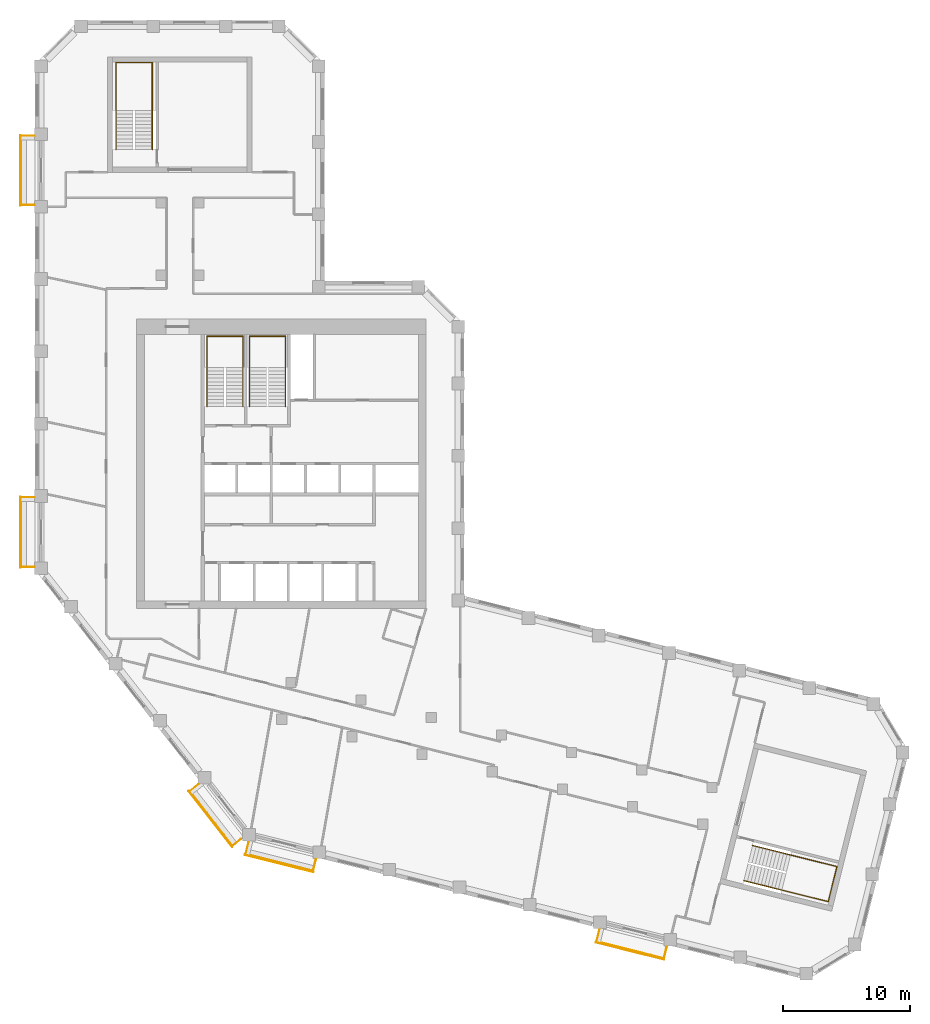
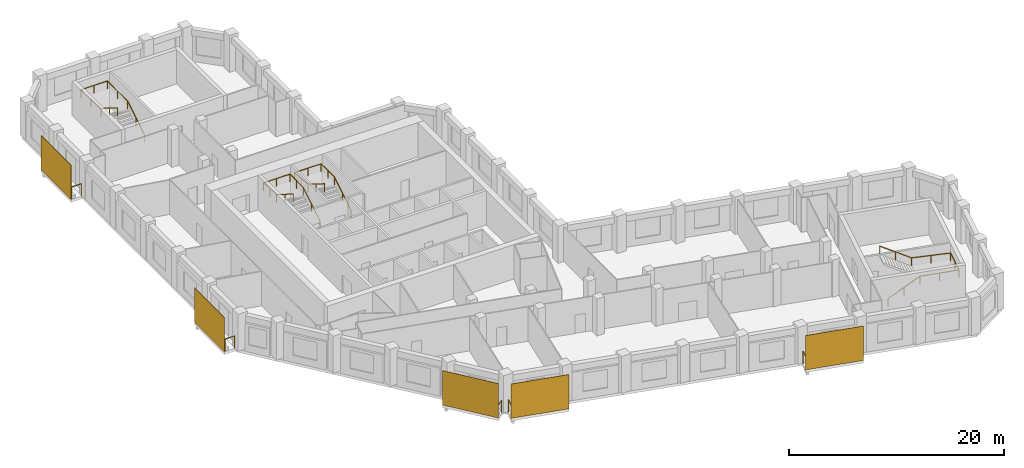
# One storey, part 9 of 9: 9 railings, 5 shading devices.
"""IFC4 building model written with IfcOpenShell, lengths in metres."""

from ifc_helpers import new_model, si_unit, direction, frame, origin, origin_2d, place, context, subcontext, project, spatial, rectangle, circle, extrude, material, layer, layer_set, type_object, element, save


model = new_model("IFC4")

# Units and contexts
model_context = context("Model", 3, precision=1e-05, world=origin(), true_north=direction((0.0, 1.0)))
body_context = subcontext(model_context, "Body", "Model", "MODEL_VIEW")
ifc_project = project(units=[si_unit("LENGTHUNIT", "METRE"), si_unit("AREAUNIT", "SQUARE_METRE"), si_unit("VOLUMEUNIT", "CUBIC_METRE"), si_unit("PLANEANGLEUNIT", "RADIAN"), si_unit("MASSUNIT", "GRAM", prefix="KILO")], contexts=[model_context])

# Site, building, storey
site_placement = place(None, origin())
site = spatial("IfcSite", under=ifc_project, at=site_placement, CompositionType="ELEMENT")
building_placement = place(site_placement, origin())
building = spatial("IfcBuilding", under=site, at=building_placement, Name="Meshkara Civic Tower", CompositionType="ELEMENT")
storey_placement = place(building_placement, frame((0.0, 0.0, 294.0)))
storey = spatial("IfcBuildingStorey", under=building, at=storey_placement, Name="L67", CompositionType="ELEMENT", Elevation=294.0)

# Railings
ifc_material_1 = material(Name="Steel S355", Category="steel")
railing_type_1 = type_object("IfcRailingType", Name="BALUSTRADE GUARD 1400", PredefinedType="BALUSTRADE", material=ifc_material_1)
for number, where, name in (
    (1, (-0.050048828125, 51.3349609375, 0.0), "Balcony guard"),
    (2, (-0.050048828125, 22.8349609375, 0.0), "Balcony guard"),
):
    element("IfcRailing", number, at=place(storey_placement, frame(where)), inside=storey, type_object=railing_type_1, Name=name, PredefinedType="BALUSTRADE", context=body_context, shape_type="SweptSolid", body=[
        extrude(circle(Radius=0.02392578125, at=origin_2d()), frame((0.0, 0.0, 1.3759765625), z_axis=(-1.0, 0.0, 0.0), x_axis=(0.0, -1.0, 0.0)), (0.0, 0.0, 1.0), 1.06005859375),
        extrude(circle(Radius=0.02392578125, at=origin_2d()), frame((-1.06005859375, 0.0, 1.3759765625), z_axis=(0.0, -1.0, 0.0), x_axis=(1.0, 0.0, 0.0)), (0.0, 0.0, 1.0), 5.4599609375),
        extrude(circle(Radius=0.02392578125, at=origin_2d()), frame((-1.06005859375, -5.4599609375, 1.3759765625), z_axis=(1.0, 0.0, 0.0), x_axis=(0.0, 1.0, 0.0)), (0.0, 0.0, 1.0), 1.06005859375),
        extrude(circle(Radius=0.02099609375, at=origin_2d()), origin(), (0.0, 0.0, 1.0), 1.351806640625),
        extrude(circle(Radius=0.02099609375, at=origin_2d()), frame((-1.06005859375, 0.0, 0.0)), (0.0, 0.0, 1.0), 1.351806640625),
        extrude(circle(Radius=0.02099609375, at=origin_2d()), frame((-1.06005859375, -1.092041015625, 0.0)), (0.0, 0.0, 1.0), 1.351806640625),
        extrude(circle(Radius=0.02099609375, at=origin_2d()), frame((-1.06005859375, -2.18408203125, 0.0)), (0.0, 0.0, 1.0), 1.351806640625),
        extrude(circle(Radius=0.02099609375, at=origin_2d()), frame((-1.06005859375, -3.27587890625, 0.0)), (0.0, 0.0, 1.0), 1.351806640625),
        extrude(circle(Radius=0.02099609375, at=origin_2d()), frame((-1.06005859375, -4.367919921875, 0.0)), (0.0, 0.0, 1.0), 1.351806640625),
        extrude(circle(Radius=0.02099609375, at=origin_2d()), frame((-1.06005859375, -5.4599609375, 0.0)), (0.0, 0.0, 1.0), 1.351806640625),
        extrude(circle(Radius=0.02099609375, at=origin_2d()), frame((0.0, -5.4599609375, 0.0)), (0.0, 0.0, 1.0), 1.351806640625),
    ])
railing_1_placement = place(storey_placement, frame((12.863037109375, 0.22705078125, 0.0)))
element("IfcRailing", 3, at=railing_1_placement, inside=storey, type_object=railing_type_1, Name="Balcony guard", PredefinedType="BALUSTRADE", context=body_context, shape_type="SweptSolid", body=[
    extrude(circle(Radius=0.02392578125, at=origin_2d()), frame((0.0, 0.0, 1.3759765625), z_axis=(-0.788494032236, -0.61504240596, 0.0), x_axis=(0.61504240596, -0.788494032236, 0.0)), (0.0, 0.0, 1.0), 0.858642578125),
    extrude(circle(Radius=0.02392578125, at=origin_2d()), frame((-0.677001953125, -0.528076171875, 1.3759765625), z_axis=(0.615684818606, -0.787992515281, 0.0), x_axis=(0.787992515281, 0.615684818606, 0.0)), (0.0, 0.0, 1.0), 5.460693359375),
    extrude(circle(Radius=0.02392578125, at=origin_2d()), frame((2.68505859375, -4.8310546875, 1.3759765625), z_axis=(0.787511002433, 0.616300593093, 0.0), x_axis=(-0.616300593093, 0.787511002433, 0.0)), (0.0, 0.0, 1.0), 0.8583984375),
    extrude(circle(Radius=0.02099609375, at=origin_2d()), origin(), (0.0, 0.0, 1.0), 1.351806640625),
    extrude(circle(Radius=0.02099609375, at=origin_2d()), frame((-0.677001953125, -0.528076171875, 0.0)), (0.0, 0.0, 1.0), 1.351806640625),
    extrude(circle(Radius=0.02099609375, at=origin_2d()), frame((-0.004638671875, -1.388671875, 0.0)), (0.0, 0.0, 1.0), 1.351806640625),
    extrude(circle(Radius=0.02099609375, at=origin_2d()), frame((0.667724609375, -2.249267578125, 0.0)), (0.0, 0.0, 1.0), 1.351806640625),
    extrude(circle(Radius=0.02099609375, at=origin_2d()), frame((1.34033203125, -3.10986328125, 0.0)), (0.0, 0.0, 1.0), 1.351806640625),
    extrude(circle(Radius=0.02099609375, at=origin_2d()), frame((2.0126953125, -3.970458984375, 0.0)), (0.0, 0.0, 1.0), 1.351806640625),
    extrude(circle(Radius=0.02099609375, at=origin_2d()), frame((2.68505859375, -4.8310546875, 0.0)), (0.0, 0.0, 1.0), 1.351806640625),
    extrude(circle(Radius=0.02099609375, at=origin_2d()), frame((3.361083984375, -4.302001953125, 0.0)), (0.0, 0.0, 1.0), 1.351806640625),
])
railing_2_placement = place(storey_placement, frame((16.821044921875, -4.35498046875, 0.0)))
element("IfcRailing", 4, at=railing_2_placement, inside=storey, type_object=railing_type_1, Name="Balcony guard", PredefinedType="BALUSTRADE", context=body_context, shape_type="SweptSolid", body=[
    extrude(circle(Radius=0.02392578125, at=origin_2d()), frame((0.0, 0.0, 1.3759765625), z_axis=(-0.241993877266, -0.970277776395, 0.0), x_axis=(0.970277776395, -0.241993877266, 0.0)), (0.0, 0.0, 1.0), 0.954345703125),
    extrude(circle(Radius=0.02392578125, at=origin_2d()), frame((-0.23095703125, -0.926025390625, 1.3759765625), z_axis=(0.9703315887, -0.241778013829, 0.0), x_axis=(0.241778013829, 0.9703315887, 0.0)), (0.0, 0.0, 1.0), 5.459716796875),
    extrude(circle(Radius=0.02392578125, at=origin_2d()), frame((5.06689453125, -2.24609375, 1.3759765625), z_axis=(0.242234364289, 0.970217765637, 0.0), x_axis=(-0.970217765637, 0.242234364289, 0.0)), (0.0, 0.0, 1.0), 0.953369140625),
    extrude(circle(Radius=0.02099609375, at=origin_2d()), origin(), (0.0, 0.0, 1.0), 1.351806640625),
    extrude(circle(Radius=0.02099609375, at=origin_2d()), frame((-0.23095703125, -0.926025390625, 0.0)), (0.0, 0.0, 1.0), 1.351806640625),
    extrude(circle(Radius=0.02099609375, at=origin_2d()), frame((0.82861328125, -1.18994140625, 0.0)), (0.0, 0.0, 1.0), 1.351806640625),
    extrude(circle(Radius=0.02099609375, at=origin_2d()), frame((1.88818359375, -1.4541015625, 0.0)), (0.0, 0.0, 1.0), 1.351806640625),
    extrude(circle(Radius=0.02099609375, at=origin_2d()), frame((2.94775390625, -1.718017578125, 0.0)), (0.0, 0.0, 1.0), 1.351806640625),
    extrude(circle(Radius=0.02099609375, at=origin_2d()), frame((4.00732421875, -1.982177734375, 0.0)), (0.0, 0.0, 1.0), 1.351806640625),
    extrude(circle(Radius=0.02099609375, at=origin_2d()), frame((5.06689453125, -2.24609375, 0.0)), (0.0, 0.0, 1.0), 1.351806640625),
    extrude(circle(Radius=0.02099609375, at=origin_2d()), frame((5.2978515625, -1.321044921875, 0.0)), (0.0, 0.0, 1.0), 1.351806640625),
])
railing_3_placement = place(storey_placement, frame((44.47412109375, -11.25, 0.0)))
element("IfcRailing", 5, at=railing_3_placement, inside=storey, type_object=railing_type_1, Name="Balcony guard", PredefinedType="BALUSTRADE", context=body_context, shape_type="SweptSolid", body=[
    extrude(circle(Radius=0.02392578125, at=origin_2d()), frame((0.0, 0.0, 1.3759765625), z_axis=(-0.242475378497, -0.970157559793, 0.0), x_axis=(0.970157559793, -0.242475378497, 0.0)), (0.0, 0.0, 1.0), 0.95361328125),
    extrude(circle(Radius=0.02392578125, at=origin_2d()), frame((-0.231201171875, -0.925048828125, 1.3759765625), z_axis=(0.970292231073, -0.24193591366, 0.0), x_axis=(0.24193591366, 0.970292231073, 0.0)), (0.0, 0.0, 1.0), 5.460205078125),
    extrude(circle(Radius=0.02392578125, at=origin_2d()), frame((5.06689453125, -2.24609375, 1.3759765625), z_axis=(0.242234364289, 0.970217765637, 0.0), x_axis=(-0.970217765637, 0.242234364289, 0.0)), (0.0, 0.0, 1.0), 0.953369140625),
    extrude(circle(Radius=0.02099609375, at=origin_2d()), origin(), (0.0, 0.0, 1.0), 1.351806640625),
    extrude(circle(Radius=0.02099609375, at=origin_2d()), frame((-0.231201171875, -0.925048828125, 0.0)), (0.0, 0.0, 1.0), 1.351806640625),
    extrude(circle(Radius=0.02099609375, at=origin_2d()), frame((0.828369140625, -1.189208984375, 0.0)), (0.0, 0.0, 1.0), 1.351806640625),
    extrude(circle(Radius=0.02099609375, at=origin_2d()), frame((1.887939453125, -1.453369140625, 0.0)), (0.0, 0.0, 1.0), 1.351806640625),
    extrude(circle(Radius=0.02099609375, at=origin_2d()), frame((2.94775390625, -1.7177734375, 0.0)), (0.0, 0.0, 1.0), 1.351806640625),
    extrude(circle(Radius=0.02099609375, at=origin_2d()), frame((4.00732421875, -1.98193359375, 0.0)), (0.0, 0.0, 1.0), 1.351806640625),
    extrude(circle(Radius=0.02099609375, at=origin_2d()), frame((5.06689453125, -2.24609375, 0.0)), (0.0, 0.0, 1.0), 1.351806640625),
    extrude(circle(Radius=0.02099609375, at=origin_2d()), frame((5.2978515625, -1.321044921875, 0.0)), (0.0, 0.0, 1.0), 1.351806640625),
])

# Shading devices
ifc_material_2 = material(Name="Perforated bronze anodised aluminium sheet", Category="aluminium")
ifc_layer = layer(ifc_material_2, 0.0400390625)
ifc_layer_set = layer_set([ifc_layer], Name="PERFORATED BRONZE SCREEN")
shading_device_type = type_object("IfcShadingDeviceType", Name="PERFORATED BRONZE SCREEN", PredefinedType="USERDEFINED", material=ifc_layer_set)
for number, where, z_axis, x_axis, name in (
    (6, (-1.179931640625, 48.60498046875, 0.0), (0.0, 0.0, 1.0), (0.0, -1.0, 0.0), "Balcony screen"),
    (7, (-1.179931640625, 20.10498046875, 0.0), (0.0, 0.0, 1.0), (0.0, -1.0, 0.0), "Balcony screen"),
    (8, (13.81201171875, -2.4951171875, 0.0), (0.0, 0.0, 1.0), (0.615661475326, -0.788010753607, 0.0), "Balcony screen"),
    (9, (19.221923828125, -6.009033203125, 0.0), (0.0, 0.0, 1.0), (0.970295726276, -0.2419218956, 0.0), "Balcony screen"),
    (10, (46.875, -12.904052734375, 0.0), (0.0, 0.0, 1.0), (0.970295726276, -0.2419218956, 0.0), "Balcony screen"),
):
    element("IfcShadingDevice", number, at=place(storey_placement, frame(where, z_axis=z_axis, x_axis=x_axis)), inside=storey, type_object=shading_device_type, Name=name, ObjectType="SCREEN", PredefinedType="USERDEFINED", context=body_context, shape_type="SweptSolid", body=[
        extrude(rectangle(XDim=5.580078125, YDim=0.0400390625, at=origin_2d()), origin(), (0.0, 0.0, 1.0), 3.89990234375),
    ])

# Railings
ifc_material_3 = material(Name="Steel handrail", Category="steel")
railing_type_2 = type_object("IfcRailingType", Name="Stair handrail 900", PredefinedType="HANDRAIL", material=ifc_material_3)
railing_4_placement = place(storey_placement, frame((16.375, 30.0, 0.175048828125)))
element("IfcRailing", 11, at=railing_4_placement, inside=storey, type_object=railing_type_2, Name="L67 ST1 stair handrail 1", PredefinedType="HANDRAIL", context=body_context, shape_type="SweptSolid", body=[
    extrude(circle(Radius=0.02392578125, at=origin_2d()), frame((0.0, 0.0, 0.8759765625), z_axis=(0.0, 0.847998304005, 0.529998940003), x_axis=(-1.0, 0.0, 0.0)), (0.0, 0.0, 1.0), 3.632080078125),
    extrude(circle(Radius=0.02392578125, at=origin_2d()), frame((0.0, 3.080078125, 2.80078125), z_axis=(0.0, 1.0, 0.0), x_axis=(-1.0, 0.0, 0.0)), (0.0, 0.0, 1.0), 2.469970703125),
    extrude(circle(Radius=0.02392578125, at=origin_2d()), frame((0.0, 5.550048828125, 2.80078125), z_axis=(-1.0, 0.0, 0.0), x_axis=(0.0, -1.0, 0.0)), (0.0, 0.0, 1.0), 2.85009765625),
    extrude(circle(Radius=0.02392578125, at=origin_2d()), frame((-2.85009765625, 5.550048828125, 2.80078125), z_axis=(0.0, -0.997505032726, 0.070595394231), x_axis=(1.0, 0.0, 0.0)), (0.0, 0.0, 1.0), 2.47607421875),
    extrude(circle(Radius=0.02392578125, at=origin_2d()), frame((-2.85009765625, 3.080078125, 2.9755859375), z_axis=(0.0, -0.847998304005, 0.529998940003), x_axis=(1.0, 0.0, 0.0)), (0.0, 0.0, 1.0), 3.632080078125),
    extrude(circle(Radius=0.02099609375, at=origin_2d()), origin(), (0.0, 0.0, 1.0), 0.851806640625),
    extrude(circle(Radius=0.02099609375, at=origin_2d()), frame((0.0, 1.5400390625, 0.96240234375)), (0.0, 0.0, 1.0), 0.851806640625),
    extrude(circle(Radius=0.02099609375, at=origin_2d()), frame((0.0, 3.080078125, 1.925048828125)), (0.0, 0.0, 1.0), 0.851806640625),
    extrude(circle(Radius=0.02099609375, at=origin_2d()), frame((0.0, 4.31494140625, 1.925048828125)), (0.0, 0.0, 1.0), 0.851806640625),
    extrude(circle(Radius=0.02099609375, at=origin_2d()), frame((0.0, 5.550048828125, 1.925048828125)), (0.0, 0.0, 1.0), 0.851806640625),
    extrude(circle(Radius=0.02099609375, at=origin_2d()), frame((-1.425048828125, 5.550048828125, 1.925048828125)), (0.0, 0.0, 1.0), 0.851806640625),
    extrude(circle(Radius=0.02099609375, at=origin_2d()), frame((-2.85009765625, 5.550048828125, 1.925048828125)), (0.0, 0.0, 1.0), 0.851806640625),
    extrude(circle(Radius=0.02099609375, at=origin_2d()), frame((-2.85009765625, 4.31494140625, 2.012451171875)), (0.0, 0.0, 1.0), 0.851806640625),
    extrude(circle(Radius=0.02099609375, at=origin_2d()), frame((-2.85009765625, 3.080078125, 2.099853515625)), (0.0, 0.0, 1.0), 0.851806640625),
    extrude(circle(Radius=0.02099609375, at=origin_2d()), frame((-2.85009765625, 1.5400390625, 3.0625)), (0.0, 0.0, 1.0), 0.851806640625),
    extrude(circle(Radius=0.02099609375, at=origin_2d()), frame((-2.85009765625, 0.0, 4.02490234375)), (0.0, 0.0, 1.0), 0.851806640625),
])
railing_5_placement = place(storey_placement, frame((19.72509765625, 30.0, 0.175048828125)))
element("IfcRailing", 12, at=railing_5_placement, inside=storey, type_object=railing_type_2, Name="L67 ST2 stair handrail 1", PredefinedType="HANDRAIL", context=body_context, shape_type="SweptSolid", body=[
    extrude(circle(Radius=0.02392578125, at=origin_2d()), frame((0.0, 0.0, 0.8759765625), z_axis=(0.0, 0.847998304005, 0.529998940003), x_axis=(-1.0, 0.0, 0.0)), (0.0, 0.0, 1.0), 3.632080078125),
    extrude(circle(Radius=0.02392578125, at=origin_2d()), frame((0.0, 3.080078125, 2.80078125), z_axis=(0.0, 1.0, 0.0), x_axis=(-1.0, 0.0, 0.0)), (0.0, 0.0, 1.0), 2.469970703125),
    extrude(circle(Radius=0.02392578125, at=origin_2d()), frame((0.0, 5.550048828125, 2.80078125), z_axis=(-1.0, 0.0, 0.0), x_axis=(0.0, -1.0, 0.0)), (0.0, 0.0, 1.0), 2.85009765625),
    extrude(circle(Radius=0.02392578125, at=origin_2d()), frame((-2.85009765625, 5.550048828125, 2.80078125), z_axis=(0.0, -0.997505032726, 0.070595394231), x_axis=(1.0, 0.0, 0.0)), (0.0, 0.0, 1.0), 2.47607421875),
    extrude(circle(Radius=0.02392578125, at=origin_2d()), frame((-2.85009765625, 3.080078125, 2.9755859375), z_axis=(0.0, -0.847998304005, 0.529998940003), x_axis=(1.0, 0.0, 0.0)), (0.0, 0.0, 1.0), 3.632080078125),
    extrude(circle(Radius=0.02099609375, at=origin_2d()), origin(), (0.0, 0.0, 1.0), 0.851806640625),
    extrude(circle(Radius=0.02099609375, at=origin_2d()), frame((0.0, 1.5400390625, 0.96240234375)), (0.0, 0.0, 1.0), 0.851806640625),
    extrude(circle(Radius=0.02099609375, at=origin_2d()), frame((0.0, 3.080078125, 1.925048828125)), (0.0, 0.0, 1.0), 0.851806640625),
    extrude(circle(Radius=0.02099609375, at=origin_2d()), frame((0.0, 4.31494140625, 1.925048828125)), (0.0, 0.0, 1.0), 0.851806640625),
    extrude(circle(Radius=0.02099609375, at=origin_2d()), frame((0.0, 5.550048828125, 1.925048828125)), (0.0, 0.0, 1.0), 0.851806640625),
    extrude(circle(Radius=0.02099609375, at=origin_2d()), frame((-1.425048828125, 5.550048828125, 1.925048828125)), (0.0, 0.0, 1.0), 0.851806640625),
    extrude(circle(Radius=0.02099609375, at=origin_2d()), frame((-2.85009765625, 5.550048828125, 1.925048828125)), (0.0, 0.0, 1.0), 0.851806640625),
    extrude(circle(Radius=0.02099609375, at=origin_2d()), frame((-2.85009765625, 4.31494140625, 2.012451171875)), (0.0, 0.0, 1.0), 0.851806640625),
    extrude(circle(Radius=0.02099609375, at=origin_2d()), frame((-2.85009765625, 3.080078125, 2.099853515625)), (0.0, 0.0, 1.0), 0.851806640625),
    extrude(circle(Radius=0.02099609375, at=origin_2d()), frame((-2.85009765625, 1.5400390625, 3.0625)), (0.0, 0.0, 1.0), 0.851806640625),
    extrude(circle(Radius=0.02099609375, at=origin_2d()), frame((-2.85009765625, 0.0, 4.02490234375)), (0.0, 0.0, 1.0), 0.851806640625),
])
railing_6_placement = place(storey_placement, frame((9.22509765625, 50.27001953125, 0.175048828125)))
element("IfcRailing", 13, at=railing_6_placement, inside=storey, type_object=railing_type_2, Name="L67 ESA5 stair handrail 1", PredefinedType="HANDRAIL", context=body_context, shape_type="SweptSolid", body=[
    extrude(circle(Radius=0.02392578125, at=origin_2d()), frame((0.0, 0.0, 0.8759765625), z_axis=(0.0, 0.847998304005, 0.529998940003), x_axis=(-1.0, 0.0, 0.0)), (0.0, 0.0, 1.0), 3.632080078125),
    extrude(circle(Radius=0.02392578125, at=origin_2d()), frame((0.0, 3.080078125, 2.80078125), z_axis=(0.0, 1.0, 0.0), x_axis=(-1.0, 0.0, 0.0)), (0.0, 0.0, 1.0), 3.77001953125),
    extrude(circle(Radius=0.02392578125, at=origin_2d()), frame((0.0, 6.85009765625, 2.80078125), z_axis=(-1.0, 0.0, 0.0), x_axis=(0.0, -1.0, 0.0)), (0.0, 0.0, 1.0), 2.85009765625),
    extrude(circle(Radius=0.02392578125, at=origin_2d()), frame((-2.85009765625, 6.85009765625, 2.80078125), z_axis=(0.0, -0.998926778478, 0.046317288783), x_axis=(1.0, 0.0, 0.0)), (0.0, 0.0, 1.0), 3.774169921875),
    extrude(circle(Radius=0.02392578125, at=origin_2d()), frame((-2.85009765625, 3.080078125, 2.9755859375), z_axis=(0.0, -0.847998304005, 0.529998940003), x_axis=(1.0, 0.0, 0.0)), (0.0, 0.0, 1.0), 3.632080078125),
    extrude(circle(Radius=0.02099609375, at=origin_2d()), origin(), (0.0, 0.0, 1.0), 0.851806640625),
    extrude(circle(Radius=0.02099609375, at=origin_2d()), frame((0.0, 1.5400390625, 0.96240234375)), (0.0, 0.0, 1.0), 0.851806640625),
    extrude(circle(Radius=0.02099609375, at=origin_2d()), frame((0.0, 3.080078125, 1.925048828125)), (0.0, 0.0, 1.0), 0.851806640625),
    extrude(circle(Radius=0.02099609375, at=origin_2d()), frame((0.0, 4.965087890625, 1.925048828125)), (0.0, 0.0, 1.0), 0.851806640625),
    extrude(circle(Radius=0.02099609375, at=origin_2d()), frame((0.0, 6.85009765625, 1.925048828125)), (0.0, 0.0, 1.0), 0.851806640625),
    extrude(circle(Radius=0.02099609375, at=origin_2d()), frame((-1.425048828125, 6.85009765625, 1.925048828125)), (0.0, 0.0, 1.0), 0.851806640625),
    extrude(circle(Radius=0.02099609375, at=origin_2d()), frame((-2.85009765625, 6.85009765625, 1.925048828125)), (0.0, 0.0, 1.0), 0.851806640625),
    extrude(circle(Radius=0.02099609375, at=origin_2d()), frame((-2.85009765625, 4.965087890625, 2.012451171875)), (0.0, 0.0, 1.0), 0.851806640625),
    extrude(circle(Radius=0.02099609375, at=origin_2d()), frame((-2.85009765625, 3.080078125, 2.099853515625)), (0.0, 0.0, 1.0), 0.851806640625),
    extrude(circle(Radius=0.02099609375, at=origin_2d()), frame((-2.85009765625, 1.5400390625, 3.0625)), (0.0, 0.0, 1.0), 0.851806640625),
    extrude(circle(Radius=0.02099609375, at=origin_2d()), frame((-2.85009765625, 0.0, 4.02490234375)), (0.0, 0.0, 1.0), 0.851806640625),
])
railing_7_placement = place(storey_placement, frame((55.849365234375, -7.3544921875, 0.175048828125)))
element("IfcRailing", 14, at=railing_7_placement, inside=storey, type_object=railing_type_2, Name="L67 ESB5 stair handrail 1", PredefinedType="HANDRAIL", context=body_context, shape_type="SweptSolid", body=[
    extrude(circle(Radius=0.02392578125, at=origin_2d()), frame((0.0, 0.0, 0.8759765625), z_axis=(0.822781968105, -0.205275396666, 0.529992306062), x_axis=(0.242069343812, 0.970258951408, 0.0)), (0.0, 0.0, 1.0), 3.63232421875),
    extrude(circle(Radius=0.02392578125, at=origin_2d()), frame((2.988525390625, -0.74560546875, 2.80078125), z_axis=(0.970256677427, -0.242078458165, 0.0), x_axis=(0.242078458165, 0.970256677427, 0.0)), (0.0, 0.0, 1.0), 3.769775390625),
    extrude(circle(Radius=0.02392578125, at=origin_2d()), frame((6.646240234375, -1.658203125, 2.80078125), z_axis=(0.242072031574, 0.970258280835, 0.0), x_axis=(-0.970258280835, 0.242072031574, 0.0)), (0.0, 0.0, 1.0), 2.85009765625),
    extrude(circle(Radius=0.02392578125, at=origin_2d()), frame((7.336181640625, 1.107177734375, 2.80078125), z_axis=(-0.969219200799, 0.24180346877, 0.046316555281), x_axis=(-0.242063248025, -0.970260472221, 0.0)), (0.0, 0.0, 1.0), 3.774169921875),
    extrude(circle(Radius=0.02392578125, at=origin_2d()), frame((3.67822265625, 2.019775390625, 2.9755859375), z_axis=(-0.822771605551, 0.205222362071, 0.530028930537), x_axis=(-0.242013336109, -0.97027292302, 0.0)), (0.0, 0.0, 1.0), 3.632080078125),
    extrude(circle(Radius=0.02099609375, at=origin_2d()), origin(), (0.0, 0.0, 1.0), 0.851806640625),
    extrude(circle(Radius=0.02099609375, at=origin_2d()), frame((1.494140625, -0.372802734375, 0.96240234375)), (0.0, 0.0, 1.0), 0.851806640625),
    extrude(circle(Radius=0.02099609375, at=origin_2d()), frame((2.988525390625, -0.74560546875, 1.925048828125)), (0.0, 0.0, 1.0), 0.851806640625),
    extrude(circle(Radius=0.02099609375, at=origin_2d()), frame((4.8173828125, -1.201904296875, 1.925048828125)), (0.0, 0.0, 1.0), 0.851806640625),
    extrude(circle(Radius=0.02099609375, at=origin_2d()), frame((6.646240234375, -1.658203125, 1.925048828125)), (0.0, 0.0, 1.0), 0.851806640625),
    extrude(circle(Radius=0.02099609375, at=origin_2d()), frame((6.9912109375, -0.275390625, 1.925048828125)), (0.0, 0.0, 1.0), 0.851806640625),
    extrude(circle(Radius=0.02099609375, at=origin_2d()), frame((7.336181640625, 1.107177734375, 1.925048828125)), (0.0, 0.0, 1.0), 0.851806640625),
    extrude(circle(Radius=0.02099609375, at=origin_2d()), frame((5.50732421875, 1.5634765625, 2.012451171875)), (0.0, 0.0, 1.0), 0.851806640625),
    extrude(circle(Radius=0.02099609375, at=origin_2d()), frame((3.67822265625, 2.019775390625, 2.099853515625)), (0.0, 0.0, 1.0), 0.851806640625),
    extrude(circle(Radius=0.02099609375, at=origin_2d()), frame((2.18408203125, 2.392578125, 3.0625)), (0.0, 0.0, 1.0), 0.851806640625),
    extrude(circle(Radius=0.02099609375, at=origin_2d()), frame((0.68994140625, 2.76513671875, 4.02490234375)), (0.0, 0.0, 1.0), 0.851806640625),
])

save(model, "model.ifc")
